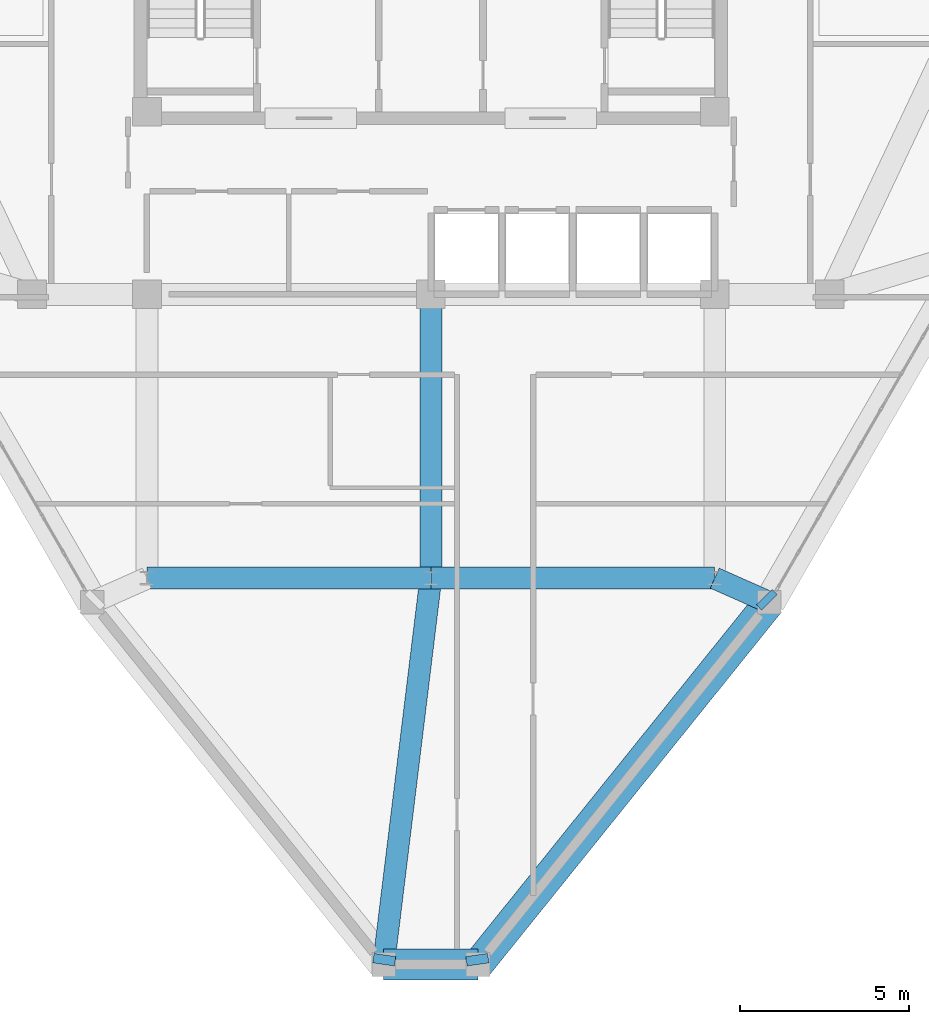
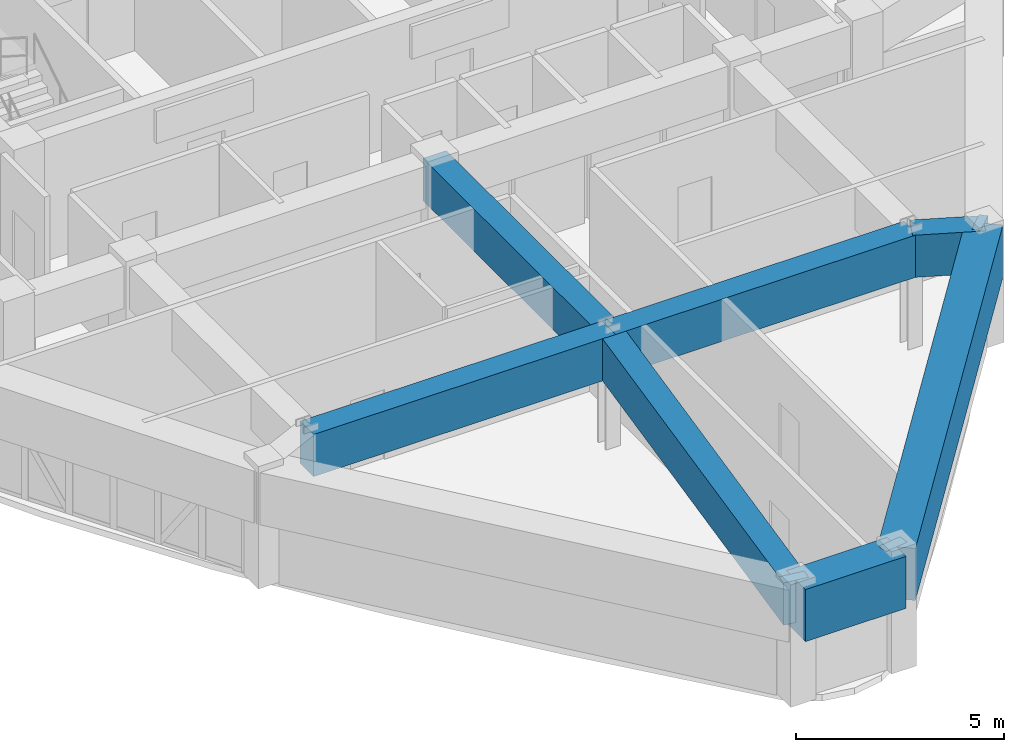
# One storey, part 3 of 15: 10 beams.
"""IFC4 building model written with IfcOpenShell, lengths in metres."""

import ifcopenshell
import ifcopenshell.guid

model = None  # the IFC model being written
_history = None  # IfcOwnerHistory: only IFC2X3 demands one
_inside = {}  # id of a spatial element -> (the spatial element, [elements in it])
_under = {}  # id of a project, library or spatial element -> (it, [spatial elements below it])
_declared = {}  # id of a project -> (the project, [libraries it declares])
_typed = {}  # id of a type object -> (the type object, [elements of that type])
_made_of = {}  # id of a material, layer set ... -> (it, [elements and type objects made of it])


def new_model(schema):
    """Start an empty IFC model of exactly this schema.

    Asked for "IFC4X3", IfcOpenShell would pick the latest addendum, in which some entities
    have other attributes; the version numbers below select the first issue.
    IFC2X3 requires an IfcOwnerHistory on every rooted entity: one is made here for all.
    """
    global model, _history
    if schema == "IFC4X3":
        model = ifcopenshell.file(schema_version=(4, 3, 0, 0))
    else:
        model = ifcopenshell.file(schema=schema)
    _inside.clear()
    _under.clear()
    _declared.clear()
    _typed.clear()
    _made_of.clear()
    _history = None
    if model.schema == "IFC2X3":
        org = make("IfcOrganization", Name="unknown")
        user = make(
            "IfcPersonAndOrganization",
            ThePerson=make("IfcPerson", FamilyName="unknown"),
            TheOrganization=org,
        )
        app = make(
            "IfcApplication",
            ApplicationDeveloper=org,
            Version="unknown",
            ApplicationFullName="unknown",
            ApplicationIdentifier="unknown",
        )
        _history = make(
            "IfcOwnerHistory",
            OwningUser=user,
            OwningApplication=app,
            ChangeAction="ADDED",
            CreationDate=0,
        )
    return model


def make(cls, **values):
    """One entity of the class cls with the attributes given. An attribute that is None is left unset."""
    return model.create_entity(
        cls, **{name: value for name, value in values.items() if value is not None}
    )


def rooted(cls, **values):
    """An entity with a GlobalId (a new one), such as an element, a storey or a relation."""
    return make(cls, GlobalId=ifcopenshell.guid.new(), OwnerHistory=_history, **values)


def si_unit(unit_type, name, prefix=None):
    """IfcSIUnit, for example si_unit("LENGTHUNIT", "METRE", prefix="MILLI")."""
    return make("IfcSIUnit", UnitType=unit_type, Prefix=prefix, Name=name)


def derived_unit(unit_type, elements):
    """IfcDerivedUnit: a product of units, each with its exponent."""
    return make(
        "IfcDerivedUnit",
        Elements=[
            make("IfcDerivedUnitElement", Unit=unit, Exponent=power)
            for unit, power in elements
        ],
        UnitType=unit_type,
    )


def assignment(units):
    """IfcUnitAssignment: the units of a project."""
    return None if units is None else make("IfcUnitAssignment", Units=units)


def point(xyz):
    """IfcCartesianPoint."""
    return None if xyz is None else make("IfcCartesianPoint", Coordinates=xyz)


def direction(xyz):
    """IfcDirection."""
    return None if xyz is None else make("IfcDirection", DirectionRatios=xyz)


def frame(location, z_axis=None, x_axis=None):
    """IfcAxis2Placement3D, a coordinate frame: its origin and axes. An axis left out is left unset."""
    return make(
        "IfcAxis2Placement3D",
        Location=point(location),
        Axis=direction(z_axis),
        RefDirection=direction(x_axis),
    )


def frame_2d(location, x_axis=None):
    """IfcAxis2Placement2D, a coordinate frame in the plane: its origin and x axis."""
    return make(
        "IfcAxis2Placement2D", Location=point(location), RefDirection=direction(x_axis)
    )


def origin():
    """The frame at (0, 0, 0) with its axes left unset."""
    return frame((0.0, 0.0, 0.0))


def origin_2d():
    """The frame at (0, 0) in the plane with its x axis left unset."""
    return frame_2d((0.0, 0.0))


def place(relative_to, where):
    """IfcLocalPlacement: puts the frame where relative to a parent placement (None: the world)."""
    return make(
        "IfcLocalPlacement", PlacementRelTo=relative_to, RelativePlacement=where
    )


def context(
    kind, dimensions, precision=None, world=None, true_north=None, identifier=None
):
    """IfcGeometricRepresentationContext, for example the 3D "Model" context."""
    return make(
        "IfcGeometricRepresentationContext",
        ContextIdentifier=identifier,
        ContextType=kind,
        CoordinateSpaceDimension=dimensions,
        Precision=precision,
        WorldCoordinateSystem=world,
        TrueNorth=true_north,
    )


def subcontext(parent, identifier, kind, view, scale=None):
    """IfcGeometricRepresentationSubContext, for example "Body" below "Model"."""
    return make(
        "IfcGeometricRepresentationSubContext",
        ContextIdentifier=identifier,
        ContextType=kind,
        ParentContext=parent,
        TargetScale=scale,
        TargetView=view,
    )


def project(units=None, contexts=None):
    """IfcProject with its units and contexts."""
    return rooted(
        "IfcProject",
        Name="project",
        RepresentationContexts=contexts,
        UnitsInContext=assignment(units),
    )


def spatial(cls, under=None, at=None, **own):
    """A site, building, storey or space (cls), placed at a placement, below another one or the project."""
    s = rooted(cls, ObjectPlacement=at, **own)
    if under is not None:
        _under.setdefault(under.id(), (under, []))[1].append(s)
    return s


def profile(cls, at=None, kind="AREA", **sizes):
    """A parametric profile (cls). Its sizes go by their IFC names, for example OverallWidth=200.0."""
    return make(cls, ProfileType=kind, Position=at, **sizes)


def rectangle(**sizes):
    """IfcRectangleProfileDef."""
    return profile("IfcRectangleProfileDef", **sizes)


def extrude(swept, where, along, depth):
    """IfcExtrudedAreaSolid: the profile swept, set in the frame where, extruded along a direction by depth."""
    return make(
        "IfcExtrudedAreaSolid",
        SweptArea=swept,
        Position=where,
        ExtrudedDirection=direction(along),
        Depth=depth,
    )


def shape(context_of_items, identifier, shape_type, items):
    """IfcShapeRepresentation: the items that make up one representation, for example the "Body"."""
    return make(
        "IfcShapeRepresentation",
        ContextOfItems=context_of_items,
        RepresentationIdentifier=identifier,
        RepresentationType=shape_type,
        Items=items,
    )


def source(mapping_origin, context_of_items, identifier, shape_type, items):
    """IfcRepresentationMap: a shape defined once, which mapped items show again and again."""
    return make(
        "IfcRepresentationMap",
        MappingOrigin=mapping_origin,
        MappedRepresentation=shape(context_of_items, identifier, shape_type, items),
    )


def transform(
    local_origin,
    x_axis=None,
    y_axis=None,
    z_axis=None,
    scale=None,
    scale2=None,
    scale3=None,
    uniform=True,
):
    """IfcCartesianTransformationOperator3D, or its non-uniform kind. x_axis, y_axis, z_axis: its Axis1, 2, 3."""
    if uniform:
        return make(
            "IfcCartesianTransformationOperator3D",
            Axis1=direction(x_axis),
            Axis2=direction(y_axis),
            LocalOrigin=point(local_origin),
            Scale=scale,
            Axis3=direction(z_axis),
        )
    return make(
        "IfcCartesianTransformationOperator3DnonUniform",
        Axis1=direction(x_axis),
        Axis2=direction(y_axis),
        LocalOrigin=point(local_origin),
        Scale=scale,
        Axis3=direction(z_axis),
        Scale2=scale2,
        Scale3=scale3,
    )


def mapped(mapping_source, mapping_target):
    """IfcMappedItem: shows the shape of a source again, moved by a transform."""
    return make(
        "IfcMappedItem", MappingSource=mapping_source, MappingTarget=mapping_target
    )


def material(Name=None, Category=None):
    """IfcMaterial."""
    return make("IfcMaterial", Name=Name, Category=Category)


def material_profile(
    of_material, cross_section, Name=None, Category=None, Priority=None
):
    """IfcMaterialProfile: a cross section and its material."""
    return make(
        "IfcMaterialProfile",
        Name=Name,
        Material=of_material,
        Profile=cross_section,
        Priority=Priority,
        Category=Category,
    )


def profile_set(profiles, Name=None, composite=None):
    """IfcMaterialProfileSet."""
    return make(
        "IfcMaterialProfileSet",
        Name=Name,
        MaterialProfiles=profiles,
        CompositeProfile=composite,
    )


def made_of(thing, what):
    """Note that an element or type object is made of a material, layer set ...; save() writes the relation."""
    if what is not None:
        _made_of.setdefault(what.id(), (what, []))[1].append(thing)
    return thing


def type_object(cls, material=None, **own):
    """A type object (cls), such as IfcWallType, which elements share."""
    return made_of(rooted(cls, **own), material)


def element(
    cls,
    number,
    at=None,
    inside=None,
    cuts=None,
    type_object=None,
    material=None,
    context=None,
    identifier="Body",
    shape_type=None,
    held_by="IfcProductDefinitionShape",
    body=None,
    shapes=None,
    **own,
):
    """One element of the class cls, such as IfcWall. Its Tag is "e" and its number.

    at: its placement. inside: the storey or other place that contains it. cuts: it is an
    opening in that element (IfcRelVoidsElement). A single representation is given by context,
    identifier, shape_type and body (its items); several are given by shapes. held_by: the class
    of the entity that holds the representations. save() writes the other relations.
    """
    e = rooted(cls, Tag="e%d" % number, ObjectPlacement=at, **own)
    if body is not None:
        shapes = [shape(context, identifier, shape_type, body)]
    if shapes is not None:
        e.Representation = make(held_by, Representations=shapes)
    if inside is not None:
        _inside.setdefault(inside.id(), (inside, []))[1].append(e)
    if cuts is not None:
        rooted(
            "IfcRelVoidsElement", RelatingBuildingElement=cuts, RelatedOpeningElement=e
        )
    if type_object is not None:
        _typed.setdefault(type_object.id(), (type_object, []))[1].append(e)
    return made_of(e, material)


def aggregate(whole, parts):
    """IfcRelAggregates: a whole, such as a stair, and the parts it consists of."""
    return rooted("IfcRelAggregates", RelatingObject=whole, RelatedObjects=parts)


def save(model, path):
    """Write the relations noted so far, then the file.

    IfcRelAggregates (storeys below a building ...), IfcRelContainedInSpatialStructure (elements
    in a storey), IfcRelDefinesByType, IfcRelAssociatesMaterial and IfcRelDeclares: one each for
    every whole, place, type object, material and project.
    """
    for whole, parts in _under.values():
        aggregate(whole, parts)
    for where, things in _inside.values():
        rooted(
            "IfcRelContainedInSpatialStructure",
            RelatedElements=things,
            RelatingStructure=where,
        )
    for kind, things in _typed.values():
        rooted("IfcRelDefinesByType", RelatedObjects=things, RelatingType=kind)
    for what, things in _made_of.values():
        rooted("IfcRelAssociatesMaterial", RelatedObjects=things, RelatingMaterial=what)
    for by, libraries in _declared.values():
        rooted("IfcRelDeclares", RelatingContext=by, RelatedDefinitions=libraries)
    model.write(path)


model = new_model("IFC4")

# Units and contexts
model_context = context("Model", 3, precision=1e-05, world=origin(), true_north=direction((0.0, 1.0)))
body_context = subcontext(model_context, "Body", "Model", "MODEL_VIEW")
ifc_project = project(units=[si_unit("LENGTHUNIT", "METRE"), si_unit("AREAUNIT", "SQUARE_METRE"), si_unit("VOLUMEUNIT", "CUBIC_METRE"), si_unit("PLANEANGLEUNIT", "RADIAN"), si_unit("MASSUNIT", "GRAM", prefix="KILO"), derived_unit("THERMALTRANSMITTANCEUNIT", [(si_unit("POWERUNIT", "WATT"), 1), (si_unit("LENGTHUNIT", "METRE"), -2), (si_unit("THERMODYNAMICTEMPERATUREUNIT", "KELVIN"), -1)])], contexts=[model_context])

# Site, building, storey
site_placement = place(None, origin())
site = spatial("IfcSite", under=ifc_project, at=site_placement, CompositionType="ELEMENT")
building_placement = place(site_placement, origin())
building = spatial("IfcBuilding", under=site, at=building_placement, Name="Korsvarv Bourse and Concert Hall", CompositionType="ELEMENT")
storey_placement = place(building_placement, frame((0.0, 0.0, 250.199951171875)))
storey = spatial("IfcBuildingStorey", under=building, at=storey_placement, Name="L65", CompositionType="ELEMENT", Elevation=250.199951171875)

# Beams
ifc_material = material(Name="Concrete C50/60", Category="concrete")
ifc_material_profile_1 = material_profile(ifc_material, rectangle(XDim=0.64990234375, YDim=1.239990234375, at=origin_2d()), Name="RC-BM 650x1240")
ifc_profile_set_1 = profile_set([ifc_material_profile_1], Name="Concrete C50/60")
beam_type_1 = type_object("IfcBeamType", Name="BM-TR-SPN", PredefinedType="BEAM", material=ifc_profile_set_1)
shared_shape_1 = source(origin(), body_context, "Body", "SweptSolid", [
    extrude(rectangle(XDim=0.64990234375, YDim=1.239990234375, at=origin_2d()), origin(), (0.0, 0.0, 1.0), 8.39990234375),
])
for number, where, z_axis, x_axis, name in (
    (1, (27.60009765625, 24.0, 2.7900390625), (1.0, 0.0, 0.0), (0.0, 1.0, 0.0), "L65 beam B-TRS"),
    (2, (36.0, 24.0, 2.7900390625), (1.0, 0.0, 0.0), (0.0, 1.0, 0.0), "L65 beam B-TRS"),
    (3, (36.0, 24.0, 2.7900390625), (0.0, 1.0, 0.0), (-1.0, 0.0, 0.0), "L65 beam B-TRS"),
):
    element("IfcBeam", number, at=place(storey_placement, frame(where, z_axis=z_axis, x_axis=x_axis)), inside=storey, type_object=beam_type_1, Name=name, PredefinedType="BEAM", context=body_context, shape_type="MappedRepresentation", body=[
        mapped(shared_shape_1, transform((0.0, 0.0, 0.0), scale=1.0)),
    ])
shared_shape_2 = source(origin(), body_context, "Body", "SweptSolid", [
    extrude(rectangle(XDim=0.64990234375, YDim=1.239990234375, at=origin_2d()), origin(), (0.0, 0.0, 1.0), 0.282470703125),
])
for number, where, z_axis, x_axis, name in (
    (4, (34.6025390625, 12.572265625, 2.7900390625), (0.14432452267, 0.98953040992, 0.0), (-0.98953040992, 0.14432452267, 0.0), "L65 beam B-TRS"),
    (5, (37.3974609375, 12.572265625, 2.7900390625), (-0.14432452267, 0.98953040992, 0.0), (-0.98953040992, -0.14432452267, 0.0), "L65 beam B-TRS"),
):
    element("IfcBeam", number, at=place(storey_placement, frame(where, z_axis=z_axis, x_axis=x_axis)), inside=storey, type_object=beam_type_1, Name=name, PredefinedType="BEAM", context=body_context, shape_type="MappedRepresentation", body=[
        mapped(shared_shape_2, transform((0.0, 0.0, 0.0), scale=1.0)),
    ])
ifc_material_profile_2 = material_profile(ifc_material, rectangle(XDim=0.919921875, YDim=1.530029296875, at=origin_2d()), Name="RC-BM 920x1530")
ifc_profile_set_2 = profile_set([ifc_material_profile_2], Name="Concrete C50/60")
beam_type_2 = type_object("IfcBeamType", Name="BM-TR-154", PredefinedType="BEAM", material=ifc_profile_set_2)
shared_shape_3 = source(origin(), body_context, "Body", "SweptSolid", [
    extrude(rectangle(XDim=0.919921875, YDim=1.530029296875, at=origin_2d()), origin(), (0.0, 0.0, 1.0), 2.794921875),
])
beam_1_placement = place(storey_placement, frame((34.6025390625, 12.572265625, 2.64501953125), z_axis=(1.0, 0.0, 0.0), x_axis=(0.0, 1.0, 0.0)))
element("IfcBeam", 6, at=beam_1_placement, inside=storey, type_object=beam_type_2, Name="L65 beam B-TR6", PredefinedType="BEAM", context=body_context, shape_type="MappedRepresentation", body=[
    mapped(shared_shape_3, transform((0.0, 0.0, 0.0), scale=1.0)),
])
shared_shape_4 = source(origin(), body_context, "Body", "SweptSolid", [
    extrude(rectangle(XDim=0.919921875, YDim=1.530029296875, at=origin_2d()), origin(), (0.0, 0.0, 1.0), 13.74853515625),
])
beam_2_placement = place(storey_placement, frame((37.3974609375, 12.572265625, 2.64501953125), z_axis=(0.626910047977, 0.77909164528, 0.0), x_axis=(-0.77909164528, 0.626910047977, 0.0)))
element("IfcBeam", 7, at=beam_2_placement, inside=storey, type_object=beam_type_2, Name="L65 beam B-TR6", PredefinedType="BEAM", context=body_context, shape_type="MappedRepresentation", body=[
    mapped(shared_shape_4, transform((0.0, 0.0, 0.0), scale=1.0)),
])
shared_shape_5 = source(origin(), body_context, "Body", "SweptSolid", [
    extrude(rectangle(XDim=0.64990234375, YDim=1.239990234375, at=origin_2d()), origin(), (0.0, 0.0, 1.0), 1.768310546875),
])
beam_3_placement = place(storey_placement, frame((46.0166015625, 23.28369140625, 2.7900390625), z_axis=(-0.914277809645, 0.405087751963, 0.0), x_axis=(-0.405087751963, -0.914277809645, 0.0)))
element("IfcBeam", 8, at=beam_3_placement, inside=storey, type_object=beam_type_1, Name="L65 beam B-TRS", PredefinedType="BEAM", context=body_context, shape_type="MappedRepresentation", body=[
    mapped(shared_shape_5, transform((0.0, 0.0, 0.0), scale=1.0)),
])
shared_shape_6 = source(origin(), body_context, "Body", "SweptSolid", [
    extrude(rectangle(XDim=0.64990234375, YDim=1.239990234375, at=origin_2d()), origin(), (0.0, 0.0, 1.0), 11.512939453125),
])
beam_4_placement = place(storey_placement, frame((34.6025390625, 12.572265625, 2.7900390625), z_axis=(0.121382575377, 0.992605798086, 0.0), x_axis=(-0.992605798086, 0.121382575377, 0.0)))
element("IfcBeam", 9, at=beam_4_placement, inside=storey, type_object=beam_type_1, Name="L65 beam B-TRS", PredefinedType="BEAM", context=body_context, shape_type="MappedRepresentation", body=[
    mapped(shared_shape_6, transform((0.0, 0.0, 0.0), scale=1.0)),
])
shared_shape_7 = source(origin(), body_context, "Body", "SweptSolid", [
    extrude(rectangle(XDim=0.64990234375, YDim=1.239990234375, at=origin_2d()), origin(), (0.0, 0.0, 1.0), 0.218017578125),
])
beam_5_placement = place(storey_placement, frame((46.0166015625, 23.28369140625, 2.7900390625), z_axis=(-0.699791495436, 0.714347158541, 0.0), x_axis=(-0.714347158541, -0.699791495436, 0.0)))
element("IfcBeam", 10, at=beam_5_placement, inside=storey, type_object=beam_type_1, Name="L65 beam B-TRS", PredefinedType="BEAM", context=body_context, shape_type="MappedRepresentation", body=[
    mapped(shared_shape_7, transform((0.0, 0.0, 0.0), scale=1.0)),
])

save(model, "model.ifc")
